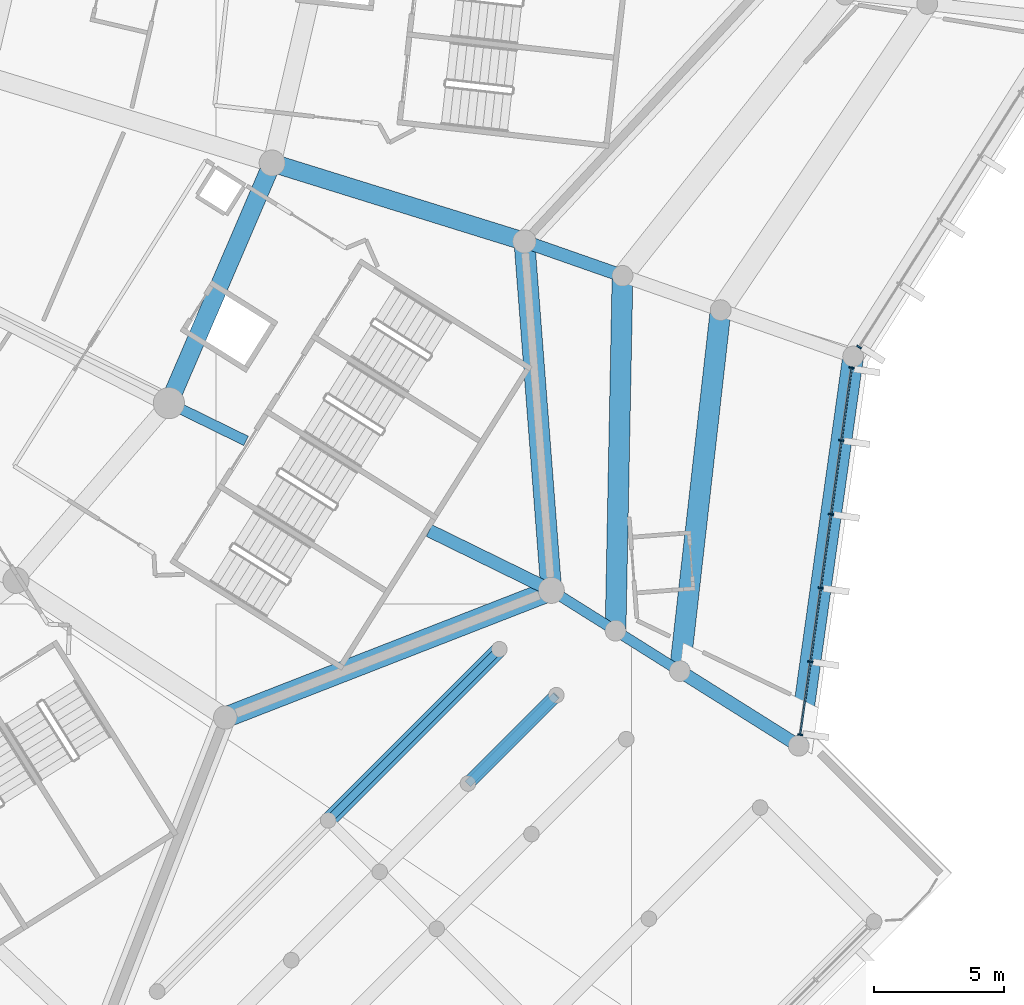
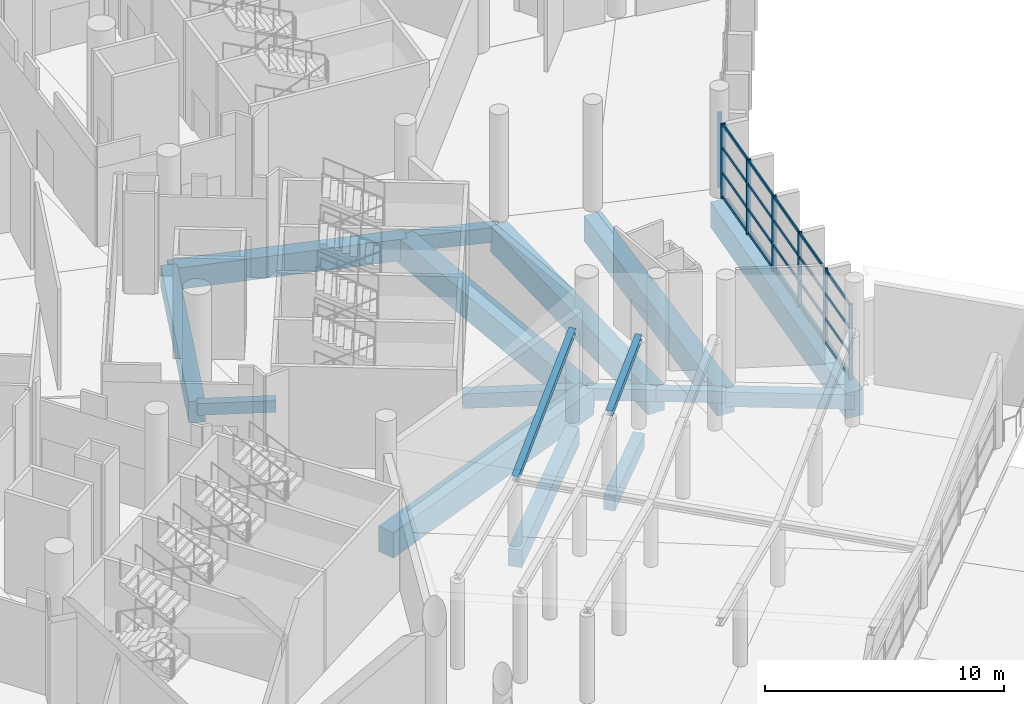
# One storey, part 52 of 271: 27 members, 17 beams, 2 elements without a shape of their own.
"""IFC4 building model written with IfcOpenShell, lengths in metres."""

from ifc_helpers import new_model, si_unit, direction, frame, origin, origin_2d, place, context, subcontext, project, spatial, rectangle, i_section, extrude, material, layer, layer_set, material_profile, profile_set, type_object, element, aggregate, save


model = new_model("IFC4")

# Units and contexts
model_context = context("Model", 3, precision=1e-05, world=origin(), true_north=direction((0.0, 1.0)))
body_context = subcontext(model_context, "Body", "Model", "MODEL_VIEW")
ifc_project = project(units=[si_unit("LENGTHUNIT", "METRE"), si_unit("AREAUNIT", "SQUARE_METRE"), si_unit("VOLUMEUNIT", "CUBIC_METRE"), si_unit("PLANEANGLEUNIT", "RADIAN"), si_unit("MASSUNIT", "GRAM", prefix="KILO")], contexts=[model_context])

# Site, building, storey
site_placement = place(None, origin())
site = spatial("IfcSite", under=ifc_project, at=site_placement, CompositionType="ELEMENT")
building_placement = place(site_placement, origin())
building = spatial("IfcBuilding", under=site, at=building_placement, Name="Meseta Stadium", CompositionType="ELEMENT")
storey_placement = place(building_placement, frame((0.0, 0.0, 6.5)))
storey = spatial("IfcBuildingStorey", under=building, at=storey_placement, Name="L01", CompositionType="ELEMENT", Elevation=6.5)

# Beams
ifc_material_1 = material(Name="Steel S355", Category="steel")
ifc_material_profile_1 = material_profile(ifc_material_1, i_section(OverallWidth=0.300048828125, OverallDepth=0.300048828125, WebThickness=0.010986328125, FlangeThickness=0.01904296875, FilletRadius=0.027099609375, at=origin_2d()), Name="HEB 300")
ifc_profile_set_1 = profile_set([ifc_material_profile_1], Name="Steel S355")
beam_type_1 = type_object("IfcBeamType", Name="Gate roof beam HEB 300 rafter", PredefinedType="BEAM", material=ifc_profile_set_1)
beam_1_placement = place(storey_placement, frame((84.3251953125, -88.3251953125, 3.256591796875), z_axis=(0.700279874845, 0.700279874845, 0.138622486536), x_axis=(-0.707106781187, 0.707106781187, 0.0)))
element("IfcBeam", 1, at=beam_1_placement, inside=storey, type_object=beam_type_1, Name="Gate 8 roof rafter", PredefinedType="BEAM", context=body_context, shape_type="SweptSolid", body=[
    extrude(i_section(OverallWidth=0.300048828125, OverallDepth=0.300048828125, WebThickness=0.010986328125, FlangeThickness=0.01904296875, FilletRadius=0.027099609375, at=origin_2d()), origin(), (0.0, 0.0, 1.0), 9.401123046875),
])
beam_2_placement = place(storey_placement, frame((89.703125, -86.906982421875, 3.873291015625), z_axis=(0.700305084276, 0.700254767774, 0.138621964879), x_axis=(-0.707081377217, 0.707132184243, 0.0)))
element("IfcBeam", 2, at=beam_2_placement, inside=storey, type_object=beam_type_1, Name="Gate 8 roof rafter", PredefinedType="BEAM", context=body_context, shape_type="SweptSolid", body=[
    extrude(i_section(OverallWidth=0.300048828125, OverallDepth=0.300048828125, WebThickness=0.010986328125, FlangeThickness=0.01904296875, FilletRadius=0.027099609375, at=origin_2d()), origin(), (0.0, 0.0, 1.0), 4.85205078125),
])
ifc_material_2 = material(Name="Concrete C40/50", Category="concrete")
ifc_material_profile_2 = material_profile(ifc_material_2, rectangle(XDim=0.39990234375, YDim=0.60009765625, at=origin_2d()), Name="RC 400x600")
ifc_profile_set_2 = profile_set([ifc_material_profile_2], Name="Concrete C40/50")
beam_type_2 = type_object("IfcBeamType", Name="RC beam 400x600", PredefinedType="BEAM", material=ifc_profile_set_2)
beam_3_placement = place(storey_placement, frame((78.197998046875, -72.27197265625, -0.64990234375), z_axis=(0.898132346212, -0.439725242267, 0.0), x_axis=(0.439725242267, 0.898132346212, 0.0)))
element("IfcBeam", 3, at=beam_3_placement, inside=storey, type_object=beam_type_2, Name="L01 radial beam frame 54 line P to R", PredefinedType="BEAM", context=body_context, shape_type="SweptSolid", body=[
    extrude(rectangle(XDim=0.39990234375, YDim=0.60009765625, at=origin_2d()), origin(), (0.0, 0.0, 1.0), 3.306396484375),
])
beam_4_placement = place(storey_placement, frame((92.908447265625, -79.474609375, -0.64990234375), z_axis=(0.846736663206, -0.532012239693, 0.0), x_axis=(0.532012239693, 0.846736663206, 0.0)))
element("IfcBeam", 4, at=beam_4_placement, inside=storey, type_object=beam_type_2, Name="L01 radial beam frame 54 line R to M", PredefinedType="BEAM", context=body_context, shape_type="SweptSolid", body=[
    extrude(rectangle(XDim=0.39990234375, YDim=0.60009765625, at=origin_2d()), origin(), (0.0, 0.0, 1.0), 2.9189453125),
])
beam_5_placement = place(storey_placement, frame((95.380126953125, -81.027587890625, -0.64990234375), z_axis=(0.846698986635, -0.532072200017, 0.0), x_axis=(0.532072200017, 0.846698986635, 0.0)))
element("IfcBeam", 5, at=beam_5_placement, inside=storey, type_object=beam_type_2, Name="L01 radial beam frame 54 line M to Q", PredefinedType="BEAM", context=body_context, shape_type="SweptSolid", body=[
    extrude(rectangle(XDim=0.39990234375, YDim=0.60009765625, at=origin_2d()), origin(), (0.0, 0.0, 1.0), 2.919189453125),
])
ifc_material_3 = material(Name="Concrete C40/50", Category="concrete")
ifc_material_profile_3 = material_profile(ifc_material_3, rectangle(XDim=0.5, YDim=0.75, at=origin_2d()), Name="RC 500x750")
ifc_profile_set_3 = profile_set([ifc_material_profile_3], Name="Concrete C40/50")
beam_type_3 = type_object("IfcBeamType", Name="RC beam 500x750", PredefinedType="BEAM", material=ifc_profile_set_3)
beam_6_placement = place(storey_placement, frame((88.212158203125, -77.175048828125, -0.72509765625), z_axis=(0.898112763243, -0.439765237939, 0.0), x_axis=(0.439765237939, 0.898112763243, 0.0)))
element("IfcBeam", 6, at=beam_6_placement, inside=storey, type_object=beam_type_3, Name="L01 radial beam frame 54 line P to R", PredefinedType="BEAM", context=body_context, shape_type="SweptSolid", body=[
    extrude(rectangle(XDim=0.5, YDim=0.75, at=origin_2d()), origin(), (0.0, 0.0, 1.0), 5.22900390625),
])
beam_7_placement = place(storey_placement, frame((97.851806640625, -82.580810546875, -0.72509765625), z_axis=(0.846748855747, -0.531992833871, 0.0), x_axis=(0.531992833871, 0.846748855747, 0.0)))
element("IfcBeam", 7, at=beam_7_placement, inside=storey, type_object=beam_type_3, Name="L01 radial beam frame 54 line Q to O", PredefinedType="BEAM", context=body_context, shape_type="SweptSolid", body=[
    extrude(rectangle(XDim=0.5, YDim=0.75, at=origin_2d()), origin(), (0.0, 0.0, 1.0), 5.400146484375),
])
beam_8_placement = place(storey_placement, frame((91.872802734375, -66.051513671875, -0.72509765625), z_axis=(0.943865968666, -0.330328674497, 0.0), x_axis=(0.330328674497, 0.943865968666, 0.0)))
element("IfcBeam", 8, at=beam_8_placement, inside=storey, type_object=beam_type_3, Name="L01 radial beam frame 55 line R to M", PredefinedType="BEAM", context=body_context, shape_type="SweptSolid", body=[
    extrude(rectangle(XDim=0.5, YDim=0.75, at=origin_2d()), origin(), (0.0, 0.0, 1.0), 4.0),
])
beam_9_placement = place(storey_placement, frame((89.703125, -86.906982421875, -0.72509765625), z_axis=(0.707132184243, 0.707081377217, 0.0), x_axis=(-0.707081377217, 0.707132184243, 0.0)))
element("IfcBeam", 9, at=beam_9_placement, inside=storey, type_object=beam_type_3, Name="Gate 8 floor beam", PredefinedType="BEAM", context=body_context, shape_type="SweptSolid", body=[
    extrude(rectangle(XDim=0.5, YDim=0.75, at=origin_2d()), origin(), (0.0, 0.0, 1.0), 4.80517578125),
])
ifc_material_4 = material(Name="Concrete C40/50", Category="concrete")
ifc_material_profile_4 = material_profile(ifc_material_4, rectangle(XDim=0.60009765625, YDim=0.89990234375, at=origin_2d()), Name="RC 600x900")
ifc_profile_set_4 = profile_set([ifc_material_profile_4], Name="Concrete C40/50")
beam_type_4 = type_object("IfcBeamType", Name="RC beam 600x900", PredefinedType="BEAM", material=ifc_profile_set_4)
beam_10_placement = place(storey_placement, frame((84.3251953125, -88.3251953125, -0.800048828125), z_axis=(0.707106781187, 0.707106781187, 0.0), x_axis=(-0.707106781187, 0.707106781187, 0.0)))
element("IfcBeam", 10, at=beam_10_placement, inside=storey, type_object=beam_type_4, Name="Gate 8 floor beam", PredefinedType="BEAM", context=body_context, shape_type="SweptSolid", body=[
    extrude(rectangle(XDim=0.60009765625, YDim=0.89990234375, at=origin_2d()), origin(), (0.0, 0.0, 1.0), 9.310546875),
])
ifc_material_5 = material(Name="Concrete C40/50", Category="concrete")
ifc_material_profile_5 = material_profile(ifc_material_5, rectangle(XDim=0.699951171875, YDim=1.10009765625, at=origin_2d()), Name="RC 700x1100")
ifc_profile_set_5 = profile_set([ifc_material_profile_5], Name="Concrete C40/50")
beam_type_5 = type_object("IfcBeamType", Name="RC beam 700x1100", PredefinedType="BEAM", material=ifc_profile_set_5)
beam_11_placement = place(storey_placement, frame((78.197998046875, -72.27197265625, -0.89990234375), z_axis=(0.394921198525, 0.918714997676, 0.0), x_axis=(-0.918714997676, 0.394921198525, 0.0)))
element("IfcBeam", 11, at=beam_11_placement, inside=storey, type_object=beam_type_5, Name="L01 ring beam frame 54 line P", PredefinedType="BEAM", context=body_context, shape_type="SweptSolid", body=[
    extrude(rectangle(XDim=0.699951171875, YDim=1.10009765625, at=origin_2d()), origin(), (0.0, 0.0, 1.0), 10.0556640625),
])
beam_12_placement = place(storey_placement, frame((82.169189453125, -63.03369140625, -0.89990234375), z_axis=(0.954886907796, -0.296969684176, 0.0), x_axis=(0.296969684176, 0.954886907796, 0.0)))
element("IfcBeam", 12, at=beam_12_placement, inside=storey, type_object=beam_type_5, Name="L01 radial beam frame 55 line P to R", PredefinedType="BEAM", context=body_context, shape_type="SweptSolid", body=[
    extrude(rectangle(XDim=0.699951171875, YDim=1.10009765625, at=origin_2d()), origin(), (0.0, 0.0, 1.0), 10.162109375),
])
ifc_material_6 = material(Name="Concrete C40/50", Category="concrete")
ifc_material_profile_6 = material_profile(ifc_material_6, rectangle(XDim=0.800048828125, YDim=1.300048828125, at=origin_2d()), Name="RC 800x1300")
ifc_profile_set_6 = profile_set([ifc_material_profile_6], Name="Concrete C40/50")
beam_type_6 = type_object("IfcBeamType", Name="RC beam 800x1300", PredefinedType="BEAM", material=ifc_profile_set_6)
for number, where, z_axis, x_axis, name in (
    (13, (80.365478515625, -84.365478515625, -1.0), (0.93167689837, 0.363287980868, 0.0), (-0.363287980868, 0.93167689837, 0.0), "L01 ring beam frame 53 line R"),
    (14, (92.908447265625, -79.474609375, -1.0), (-0.076925307894, 0.997036858399, 0.0), (-0.997036858399, -0.076925307894, 0.0), "L01 ring beam frame 54 line R"),
):
    element("IfcBeam", number, at=place(storey_placement, frame(where, z_axis=z_axis, x_axis=x_axis)), inside=storey, type_object=beam_type_6, Name=name, PredefinedType="BEAM", context=body_context, shape_type="SweptSolid", body=[
        extrude(rectangle(XDim=0.800048828125, YDim=1.300048828125, at=origin_2d()), origin(), (0.0, 0.0, 1.0), 13.462890625),
    ])
beam_13_placement = place(storey_placement, frame((95.380126953125, -81.027587890625, -1.0), z_axis=(0.019627900499, 0.999807354205, 0.0), x_axis=(-0.999807354205, 0.019627900499, 0.0)))
element("IfcBeam", 15, at=beam_13_placement, inside=storey, type_object=beam_type_6, Name="L01 ring beam frame 54 line M", PredefinedType="BEAM", context=body_context, shape_type="SweptSolid", body=[
    extrude(rectangle(XDim=0.800048828125, YDim=1.300048828125, at=origin_2d()), origin(), (0.0, 0.0, 1.0), 13.657470703125),
])
beam_14_placement = place(storey_placement, frame((97.851806640625, -82.580810546875, -1.0), z_axis=(0.112482832054, 0.993653668283, 0.0), x_axis=(-0.993653668283, 0.112482832054, 0.0)))
element("IfcBeam", 16, at=beam_14_placement, inside=storey, type_object=beam_type_6, Name="L01 ring beam frame 54 line Q", PredefinedType="BEAM", context=body_context, shape_type="SweptSolid", body=[
    extrude(rectangle(XDim=0.800048828125, YDim=1.300048828125, at=origin_2d()), origin(), (0.0, 0.0, 1.0), 13.9755859375),
])
beam_15_placement = place(storey_placement, frame((102.42431640625, -85.45361328125, -1.0), z_axis=(0.138631693814, 0.990344007641, 0.0), x_axis=(-0.990344007641, 0.138631693814, 0.0)))
element("IfcBeam", 17, at=beam_15_placement, inside=storey, type_object=beam_type_6, Name="L01 ring beam frame 54 line O", PredefinedType="BEAM", context=body_context, shape_type="SweptSolid", body=[
    extrude(rectangle(XDim=0.800048828125, YDim=1.300048828125, at=origin_2d()), origin(), (0.0, 0.0, 1.0), 15.122314453125),
])

# Curtain wall, members
ifc_material_7 = material(Name="Aluminium", Category="aluminium")
ifc_layer = layer(ifc_material_7, 0.199951171875)
ifc_layer_set = layer_set([ifc_layer], Name="Ring shopfront curtain wall")
curtain_wall_type = type_object("IfcCurtainWallType", Name="Ring shopfront curtain wall", PredefinedType="NOTDEFINED", material=ifc_layer_set)
curtain_wall_1_placement = place(storey_placement, origin())
curtain_wall_1 = element("IfcCurtainWall", 18, at=curtain_wall_1_placement, inside=storey, type_object=curtain_wall_type, Name="Ring glazing L01 F54", PredefinedType="NOTDEFINED")
ifc_material_8 = material(Name="Aluminium", Category="aluminium")
ifc_material_profile_7 = material_profile(ifc_material_8, rectangle(XDim=0.199951171875, YDim=0.06005859375, at=origin_2d()), Name="CW 200x60")
ifc_profile_set_7 = profile_set([ifc_material_profile_7], Name="Aluminium")
member_type_1 = type_object("IfcMemberType", Name="Ring CW mullion 60x200", PredefinedType="MULLION", material=ifc_profile_set_7)
member_1_placement = place(storey_placement, frame((102.483642578125, -85.02783203125, 0.0), z_axis=(0.0, 0.0, 1.0), x_axis=(-0.990342456098, 0.13864277713, 0.0)))
member_1 = element("IfcMember", 19, at=member_1_placement, type_object=member_type_1, Name="CWR1 mullion 1", PredefinedType="MULLION", context=body_context, shape_type="SweptSolid", body=[
    extrude(rectangle(XDim=0.199951171875, YDim=0.06005859375, at=origin_2d()), origin(), (0.0, 0.0, 1.0), 3.85009765625),
])
member_2_placement = place(storey_placement, frame((102.876708984375, -82.220703125, 0.0), z_axis=(0.0, 0.0, 1.0), x_axis=(-0.990342456098, 0.13864277713, 0.0)))
member_2 = element("IfcMember", 20, at=member_2_placement, type_object=member_type_1, Name="CWR1 mullion 2", PredefinedType="MULLION", context=body_context, shape_type="SweptSolid", body=[
    extrude(rectangle(XDim=0.199951171875, YDim=0.06005859375, at=origin_2d()), origin(), (0.0, 0.0, 1.0), 3.85009765625),
])
member_3_placement = place(storey_placement, frame((103.27392578125, -79.3837890625, 0.0), z_axis=(0.0, 0.0, 1.0), x_axis=(-0.990342456098, 0.13864277713, 0.0)))
member_3 = element("IfcMember", 21, at=member_3_placement, type_object=member_type_1, Name="CWR1 mullion 3", PredefinedType="MULLION", context=body_context, shape_type="SweptSolid", body=[
    extrude(rectangle(XDim=0.199951171875, YDim=0.06005859375, at=origin_2d()), origin(), (0.0, 0.0, 1.0), 3.85009765625),
])
member_4_placement = place(storey_placement, frame((103.6708984375, -76.547119140625, 0.0), z_axis=(0.0, 0.0, 1.0), x_axis=(-0.990342456098, 0.13864277713, 0.0)))
member_4 = element("IfcMember", 22, at=member_4_placement, type_object=member_type_1, Name="CWR1 mullion 4", PredefinedType="MULLION", context=body_context, shape_type="SweptSolid", body=[
    extrude(rectangle(XDim=0.199951171875, YDim=0.06005859375, at=origin_2d()), origin(), (0.0, 0.0, 1.0), 3.85009765625),
])
member_5_placement = place(storey_placement, frame((104.068115234375, -73.710205078125, 0.0), z_axis=(0.0, 0.0, 1.0), x_axis=(-0.990342456098, 0.13864277713, 0.0)))
member_5 = element("IfcMember", 23, at=member_5_placement, type_object=member_type_1, Name="CWR1 mullion 5", PredefinedType="MULLION", context=body_context, shape_type="SweptSolid", body=[
    extrude(rectangle(XDim=0.199951171875, YDim=0.06005859375, at=origin_2d()), origin(), (0.0, 0.0, 1.0), 3.85009765625),
])
member_6_placement = place(storey_placement, frame((104.461181640625, -70.903076171875, 0.0), z_axis=(0.0, 0.0, 1.0), x_axis=(-0.990342456098, 0.13864277713, 0.0)))
member_6 = element("IfcMember", 24, at=member_6_placement, type_object=member_type_1, Name="CWR1 mullion 6", PredefinedType="MULLION", context=body_context, shape_type="SweptSolid", body=[
    extrude(rectangle(XDim=0.199951171875, YDim=0.06005859375, at=origin_2d()), origin(), (0.0, 0.0, 1.0), 3.85009765625),
])

# Curtain wall, member
curtain_wall_2_placement = place(storey_placement, origin())
curtain_wall_2 = element("IfcCurtainWall", 25, at=curtain_wall_2_placement, inside=storey, type_object=curtain_wall_type, Name="Ring glazing L01 F55", PredefinedType="NOTDEFINED")
member_7_placement = place(storey_placement, frame((104.7509765625, -70.1142578125, 0.0), z_axis=(0.0, 0.0, 1.0), x_axis=(-0.844491436677, 0.535569055659, 0.0)))
member_7 = element("IfcMember", 26, at=member_7_placement, type_object=member_type_1, Name="CWR1 mullion 1", PredefinedType="MULLION", context=body_context, shape_type="SweptSolid", body=[
    extrude(rectangle(XDim=0.199951171875, YDim=0.06005859375, at=origin_2d()), origin(), (0.0, 0.0, 1.0), 3.85009765625),
])
aggregate(curtain_wall_2, [member_7])

# Member
ifc_material_9 = material(Name="Aluminium", Category="aluminium")
ifc_material_profile_8 = material_profile(ifc_material_9, rectangle(XDim=0.06005859375, YDim=0.14990234375, at=origin_2d()), Name="CW 60x150")
ifc_profile_set_8 = profile_set([ifc_material_profile_8], Name="Aluminium")
member_type_2 = type_object("IfcMemberType", Name="Ring CW transom 60x150", PredefinedType="USERDEFINED", material=ifc_profile_set_8)
member_8_placement = place(storey_placement, frame((102.488037109375, -84.998046875, 0.074951171875), z_axis=(0.13859951186, 0.990348512046, 0.0), x_axis=(-0.990348512046, 0.13859951186, 0.0)))
member_8 = element("IfcMember", 27, at=member_8_placement, type_object=member_type_2, Name="CWR1 transom 1.1", ObjectType="TRANSOM", PredefinedType="USERDEFINED", context=body_context, shape_type="SweptSolid", body=[
    extrude(rectangle(XDim=0.06005859375, YDim=0.14990234375, at=origin_2d()), origin(), (0.0, 0.0, 1.0), 2.7744140625),
])

member_9_placement = place(storey_placement, frame((102.488037109375, -84.998046875, 1.283447265625), z_axis=(0.13859951186, 0.990348512046, 0.0), x_axis=(-0.990348512046, 0.13859951186, 0.0)))
member_9 = element("IfcMember", 28, at=member_9_placement, type_object=member_type_2, Name="CWR1 transom 1.2", ObjectType="TRANSOM", PredefinedType="USERDEFINED", context=body_context, shape_type="SweptSolid", body=[
    extrude(rectangle(XDim=0.06005859375, YDim=0.14990234375, at=origin_2d()), origin(), (0.0, 0.0, 1.0), 2.7744140625),
])

member_10_placement = place(storey_placement, frame((102.488037109375, -84.998046875, 2.566650390625), z_axis=(0.13859951186, 0.990348512046, 0.0), x_axis=(-0.990348512046, 0.13859951186, 0.0)))
member_10 = element("IfcMember", 29, at=member_10_placement, type_object=member_type_2, Name="CWR1 transom 1.3", ObjectType="TRANSOM", PredefinedType="USERDEFINED", context=body_context, shape_type="SweptSolid", body=[
    extrude(rectangle(XDim=0.06005859375, YDim=0.14990234375, at=origin_2d()), origin(), (0.0, 0.0, 1.0), 2.7744140625),
])

member_11_placement = place(storey_placement, frame((102.488037109375, -84.998046875, 3.77490234375), z_axis=(0.13859951186, 0.990348512046, 0.0), x_axis=(-0.990348512046, 0.13859951186, 0.0)))
member_11 = element("IfcMember", 30, at=member_11_placement, type_object=member_type_2, Name="CWR1 transom 1.4", ObjectType="TRANSOM", PredefinedType="USERDEFINED", context=body_context, shape_type="SweptSolid", body=[
    extrude(rectangle(XDim=0.06005859375, YDim=0.14990234375, at=origin_2d()), origin(), (0.0, 0.0, 1.0), 2.7744140625),
])

member_12_placement = place(storey_placement, frame((102.880859375, -82.19091796875, 0.074951171875), z_axis=(0.138678581808, 0.99033744297, 0.0), x_axis=(-0.99033744297, 0.138678581808, 0.0)))
member_12 = element("IfcMember", 31, at=member_12_placement, type_object=member_type_2, Name="CWR1 transom 2.1", ObjectType="TRANSOM", PredefinedType="USERDEFINED", context=body_context, shape_type="SweptSolid", body=[
    extrude(rectangle(XDim=0.06005859375, YDim=0.14990234375, at=origin_2d()), origin(), (0.0, 0.0, 1.0), 2.804443359375),
])

member_13_placement = place(storey_placement, frame((102.880859375, -82.19091796875, 1.283447265625), z_axis=(0.138678581808, 0.99033744297, 0.0), x_axis=(-0.99033744297, 0.138678581808, 0.0)))
member_13 = element("IfcMember", 32, at=member_13_placement, type_object=member_type_2, Name="CWR1 transom 2.2", ObjectType="TRANSOM", PredefinedType="USERDEFINED", context=body_context, shape_type="SweptSolid", body=[
    extrude(rectangle(XDim=0.06005859375, YDim=0.14990234375, at=origin_2d()), origin(), (0.0, 0.0, 1.0), 2.804443359375),
])

member_14_placement = place(storey_placement, frame((102.880859375, -82.19091796875, 2.566650390625), z_axis=(0.138678581808, 0.99033744297, 0.0), x_axis=(-0.99033744297, 0.138678581808, 0.0)))
member_14 = element("IfcMember", 33, at=member_14_placement, type_object=member_type_2, Name="CWR1 transom 2.3", ObjectType="TRANSOM", PredefinedType="USERDEFINED", context=body_context, shape_type="SweptSolid", body=[
    extrude(rectangle(XDim=0.06005859375, YDim=0.14990234375, at=origin_2d()), origin(), (0.0, 0.0, 1.0), 2.804443359375),
])

member_15_placement = place(storey_placement, frame((102.880859375, -82.19091796875, 3.77490234375), z_axis=(0.138678581808, 0.99033744297, 0.0), x_axis=(-0.99033744297, 0.138678581808, 0.0)))
member_15 = element("IfcMember", 34, at=member_15_placement, type_object=member_type_2, Name="CWR1 transom 2.4", ObjectType="TRANSOM", PredefinedType="USERDEFINED", context=body_context, shape_type="SweptSolid", body=[
    extrude(rectangle(XDim=0.06005859375, YDim=0.14990234375, at=origin_2d()), origin(), (0.0, 0.0, 1.0), 2.804443359375),
])

member_16_placement = place(storey_placement, frame((103.278076171875, -79.354248046875, 0.074951171875), z_axis=(0.138581251587, 0.990351067404, 0.0), x_axis=(-0.990351067404, 0.138581251587, 0.0)))
member_16 = element("IfcMember", 35, at=member_16_placement, type_object=member_type_2, Name="CWR1 transom 3.1", ObjectType="TRANSOM", PredefinedType="USERDEFINED", context=body_context, shape_type="SweptSolid", body=[
    extrude(rectangle(XDim=0.06005859375, YDim=0.14990234375, at=origin_2d()), origin(), (0.0, 0.0, 1.0), 2.8046875),
])

member_17_placement = place(storey_placement, frame((103.278076171875, -79.354248046875, 1.283447265625), z_axis=(0.138581251587, 0.990351067404, 0.0), x_axis=(-0.990351067404, 0.138581251587, 0.0)))
member_17 = element("IfcMember", 36, at=member_17_placement, type_object=member_type_2, Name="CWR1 transom 3.2", ObjectType="TRANSOM", PredefinedType="USERDEFINED", context=body_context, shape_type="SweptSolid", body=[
    extrude(rectangle(XDim=0.06005859375, YDim=0.14990234375, at=origin_2d()), origin(), (0.0, 0.0, 1.0), 2.8046875),
])

member_18_placement = place(storey_placement, frame((103.278076171875, -79.354248046875, 2.566650390625), z_axis=(0.138581251587, 0.990351067404, 0.0), x_axis=(-0.990351067404, 0.138581251587, 0.0)))
member_18 = element("IfcMember", 37, at=member_18_placement, type_object=member_type_2, Name="CWR1 transom 3.3", ObjectType="TRANSOM", PredefinedType="USERDEFINED", context=body_context, shape_type="SweptSolid", body=[
    extrude(rectangle(XDim=0.06005859375, YDim=0.14990234375, at=origin_2d()), origin(), (0.0, 0.0, 1.0), 2.8046875),
])

member_19_placement = place(storey_placement, frame((103.278076171875, -79.354248046875, 3.77490234375), z_axis=(0.138581251587, 0.990351067404, 0.0), x_axis=(-0.990351067404, 0.138581251587, 0.0)))
member_19 = element("IfcMember", 38, at=member_19_placement, type_object=member_type_2, Name="CWR1 transom 3.4", ObjectType="TRANSOM", PredefinedType="USERDEFINED", context=body_context, shape_type="SweptSolid", body=[
    extrude(rectangle(XDim=0.06005859375, YDim=0.14990234375, at=origin_2d()), origin(), (0.0, 0.0, 1.0), 2.8046875),
])

member_20_placement = place(storey_placement, frame((103.67529296875, -76.517333984375, 0.074951171875), z_axis=(0.138593199503, 0.990349395442, 0.0), x_axis=(-0.990349395442, 0.138593199503, 0.0)))
member_20 = element("IfcMember", 39, at=member_20_placement, type_object=member_type_2, Name="CWR1 transom 4.1", ObjectType="TRANSOM", PredefinedType="USERDEFINED", context=body_context, shape_type="SweptSolid", body=[
    extrude(rectangle(XDim=0.06005859375, YDim=0.14990234375, at=origin_2d()), origin(), (0.0, 0.0, 1.0), 2.804443359375),
])

member_21_placement = place(storey_placement, frame((103.67529296875, -76.517333984375, 1.283447265625), z_axis=(0.138593199503, 0.990349395442, 0.0), x_axis=(-0.990349395442, 0.138593199503, 0.0)))
member_21 = element("IfcMember", 40, at=member_21_placement, type_object=member_type_2, Name="CWR1 transom 4.2", ObjectType="TRANSOM", PredefinedType="USERDEFINED", context=body_context, shape_type="SweptSolid", body=[
    extrude(rectangle(XDim=0.06005859375, YDim=0.14990234375, at=origin_2d()), origin(), (0.0, 0.0, 1.0), 2.804443359375),
])

member_22_placement = place(storey_placement, frame((103.67529296875, -76.517333984375, 2.566650390625), z_axis=(0.138593199503, 0.990349395442, 0.0), x_axis=(-0.990349395442, 0.138593199503, 0.0)))
member_22 = element("IfcMember", 41, at=member_22_placement, type_object=member_type_2, Name="CWR1 transom 4.3", ObjectType="TRANSOM", PredefinedType="USERDEFINED", context=body_context, shape_type="SweptSolid", body=[
    extrude(rectangle(XDim=0.06005859375, YDim=0.14990234375, at=origin_2d()), origin(), (0.0, 0.0, 1.0), 2.804443359375),
])

member_23_placement = place(storey_placement, frame((103.67529296875, -76.517333984375, 3.77490234375), z_axis=(0.138593199503, 0.990349395442, 0.0), x_axis=(-0.990349395442, 0.138593199503, 0.0)))
member_23 = element("IfcMember", 42, at=member_23_placement, type_object=member_type_2, Name="CWR1 transom 4.4", ObjectType="TRANSOM", PredefinedType="USERDEFINED", context=body_context, shape_type="SweptSolid", body=[
    extrude(rectangle(XDim=0.06005859375, YDim=0.14990234375, at=origin_2d()), origin(), (0.0, 0.0, 1.0), 2.804443359375),
])

member_24_placement = place(storey_placement, frame((104.072265625, -73.680419921875, 0.074951171875), z_axis=(0.138685819512, 0.990336429435, 0.0), x_axis=(-0.990336429435, 0.138685819512, 0.0)))
member_24 = element("IfcMember", 43, at=member_24_placement, type_object=member_type_2, Name="CWR1 transom 5.1", ObjectType="TRANSOM", PredefinedType="USERDEFINED", context=body_context, shape_type="SweptSolid", body=[
    extrude(rectangle(XDim=0.06005859375, YDim=0.14990234375, at=origin_2d()), origin(), (0.0, 0.0, 1.0), 2.7744140625),
])

member_25_placement = place(storey_placement, frame((104.072265625, -73.680419921875, 1.283447265625), z_axis=(0.138685819512, 0.990336429435, 0.0), x_axis=(-0.990336429435, 0.138685819512, 0.0)))
member_25 = element("IfcMember", 44, at=member_25_placement, type_object=member_type_2, Name="CWR1 transom 5.2", ObjectType="TRANSOM", PredefinedType="USERDEFINED", context=body_context, shape_type="SweptSolid", body=[
    extrude(rectangle(XDim=0.06005859375, YDim=0.14990234375, at=origin_2d()), origin(), (0.0, 0.0, 1.0), 2.7744140625),
])

member_26_placement = place(storey_placement, frame((104.072265625, -73.680419921875, 2.566650390625), z_axis=(0.138685819512, 0.990336429435, 0.0), x_axis=(-0.990336429435, 0.138685819512, 0.0)))
member_26 = element("IfcMember", 45, at=member_26_placement, type_object=member_type_2, Name="CWR1 transom 5.3", ObjectType="TRANSOM", PredefinedType="USERDEFINED", context=body_context, shape_type="SweptSolid", body=[
    extrude(rectangle(XDim=0.06005859375, YDim=0.14990234375, at=origin_2d()), origin(), (0.0, 0.0, 1.0), 2.7744140625),
])

member_27_placement = place(storey_placement, frame((104.072265625, -73.680419921875, 3.77490234375), z_axis=(0.138685819512, 0.990336429435, 0.0), x_axis=(-0.990336429435, 0.138685819512, 0.0)))
member_27 = element("IfcMember", 46, at=member_27_placement, type_object=member_type_2, Name="CWR1 transom 5.4", ObjectType="TRANSOM", PredefinedType="USERDEFINED", context=body_context, shape_type="SweptSolid", body=[
    extrude(rectangle(XDim=0.06005859375, YDim=0.14990234375, at=origin_2d()), origin(), (0.0, 0.0, 1.0), 2.7744140625),
])

aggregate(curtain_wall_1, [member_1, member_2, member_3, member_4, member_5, member_6, member_8, member_9, member_10, member_11, member_12, member_13, member_14, member_15, member_16, member_17, member_18, member_19, member_20, member_21, member_22, member_23, member_24, member_25, member_26, member_27])

save(model, "model.ifc")
